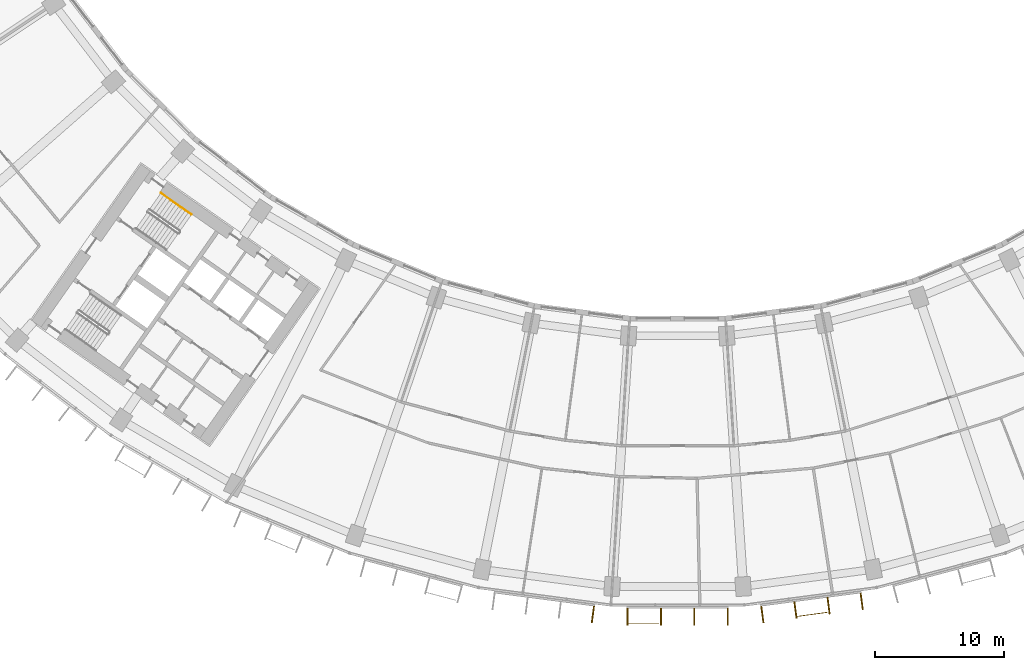
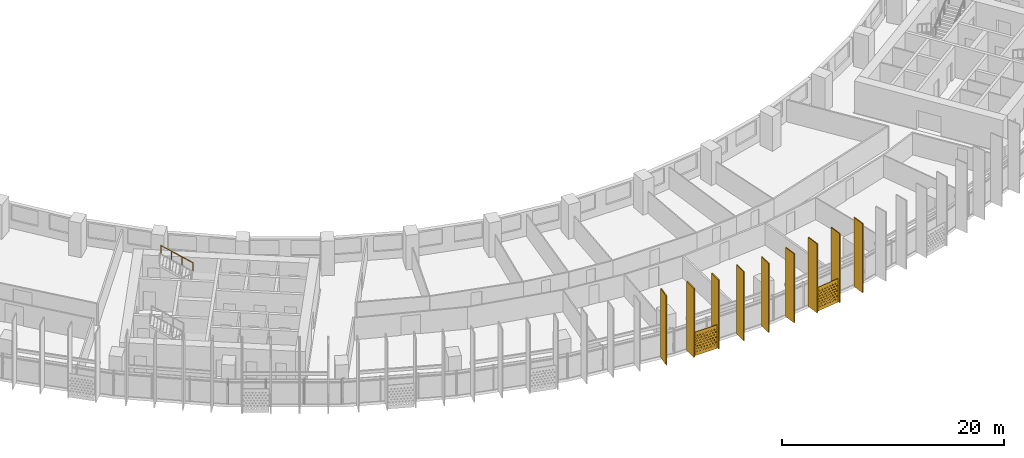
# One storey, part 27 of 30: 11 shading devices, 1 railing.
"""IFC4 building model written with IfcOpenShell, lengths in metres."""

from ifc_helpers import new_model, si_unit, direction, frame, origin, origin_2d, place, context, subcontext, project, spatial, polyline, rectangle, circle, outline, extrude, material, material_profile, profile_set, type_object, element, save


model = new_model("IFC4")

# Units and contexts
model_context = context("Model", 3, precision=1e-05, world=origin(), true_north=direction((0.0, 1.0)))
body_context = subcontext(model_context, "Body", "Model", "MODEL_VIEW")
ifc_project = project(units=[si_unit("LENGTHUNIT", "METRE"), si_unit("AREAUNIT", "SQUARE_METRE"), si_unit("VOLUMEUNIT", "CUBIC_METRE"), si_unit("PLANEANGLEUNIT", "RADIAN"), si_unit("MASSUNIT", "GRAM", prefix="KILO")], contexts=[model_context])

# Site, building, storey
site_placement = place(None, origin())
site = spatial("IfcSite", under=ifc_project, at=site_placement, CompositionType="ELEMENT")
building_placement = place(site_placement, origin())
building = spatial("IfcBuilding", under=site, at=building_placement, Name="Qamariyya Broadcast Tower", CompositionType="ELEMENT")
storey_placement = place(building_placement, frame((0.0, 0.0, 110.10009765625)))
storey = spatial("IfcBuildingStorey", under=building, at=storey_placement, Name="L24", CompositionType="ELEMENT", Elevation=110.10009765625)

# Shading devices
ifc_material_1 = material(Name="Perforated glazed terracotta", Category="masonry")
ifc_material_profile_1 = material_profile(ifc_material_1, outline(polyline([(-1.199951171875, -1.300048828125), (1.199951171875, -1.300048828125), (1.199951171875, 1.300048828125), (-1.199951171875, 1.300048828125), (-1.199951171875, -1.300048828125)]), holes=[polyline([(-0.81494140625, -0.86669921875), (-0.89990234375, -0.78173828125), (-0.985107421875, -0.86669921875), (-0.89990234375, -0.95166015625), (-0.81494140625, -0.86669921875)]), polyline([(-0.514892578125, -0.86669921875), (-0.60009765625, -0.78173828125), (-0.68505859375, -0.86669921875), (-0.60009765625, -0.95166015625), (-0.514892578125, -0.86669921875)]), polyline([(-0.215087890625, -0.86669921875), (-0.300048828125, -0.78173828125), (-0.385009765625, -0.86669921875), (-0.300048828125, -0.95166015625), (-0.215087890625, -0.86669921875)]), polyline([(0.0849609375, -0.86669921875), (0.0, -0.78173828125), (-0.0849609375, -0.86669921875), (0.0, -0.95166015625), (0.0849609375, -0.86669921875)]), polyline([(0.385009765625, -0.86669921875), (0.300048828125, -0.78173828125), (0.215087890625, -0.86669921875), (0.300048828125, -0.95166015625), (0.385009765625, -0.86669921875)]), polyline([(0.68505859375, -0.86669921875), (0.60009765625, -0.78173828125), (0.514892578125, -0.86669921875), (0.60009765625, -0.95166015625), (0.68505859375, -0.86669921875)]), polyline([(0.985107421875, -0.86669921875), (0.89990234375, -0.78173828125), (0.81494140625, -0.86669921875), (0.89990234375, -0.95166015625), (0.985107421875, -0.86669921875)]), polyline([(-0.965087890625, -0.577880859375), (-1.050048828125, -0.49267578125), (-1.135009765625, -0.577880859375), (-1.050048828125, -0.662841796875), (-0.965087890625, -0.577880859375)]), polyline([(-0.6650390625, -0.577880859375), (-0.75, -0.49267578125), (-0.8349609375, -0.577880859375), (-0.75, -0.662841796875), (-0.6650390625, -0.577880859375)]), polyline([(-0.364990234375, -0.577880859375), (-0.449951171875, -0.49267578125), (-0.534912109375, -0.577880859375), (-0.449951171875, -0.662841796875), (-0.364990234375, -0.577880859375)]), polyline([(-0.06494140625, -0.577880859375), (-0.14990234375, -0.49267578125), (-0.235107421875, -0.577880859375), (-0.14990234375, -0.662841796875), (-0.06494140625, -0.577880859375)]), polyline([(0.235107421875, -0.577880859375), (0.14990234375, -0.49267578125), (0.06494140625, -0.577880859375), (0.14990234375, -0.662841796875), (0.235107421875, -0.577880859375)]), polyline([(0.534912109375, -0.577880859375), (0.449951171875, -0.49267578125), (0.364990234375, -0.577880859375), (0.449951171875, -0.662841796875), (0.534912109375, -0.577880859375)]), polyline([(0.8349609375, -0.577880859375), (0.75, -0.49267578125), (0.6650390625, -0.577880859375), (0.75, -0.662841796875), (0.8349609375, -0.577880859375)]), polyline([(1.135009765625, -0.577880859375), (1.050048828125, -0.49267578125), (0.965087890625, -0.577880859375), (1.050048828125, -0.662841796875), (1.135009765625, -0.577880859375)]), polyline([(-0.81494140625, -0.288818359375), (-0.89990234375, -0.203857421875), (-0.985107421875, -0.288818359375), (-0.89990234375, -0.373779296875), (-0.81494140625, -0.288818359375)]), polyline([(-0.514892578125, -0.288818359375), (-0.60009765625, -0.203857421875), (-0.68505859375, -0.288818359375), (-0.60009765625, -0.373779296875), (-0.514892578125, -0.288818359375)]), polyline([(-0.215087890625, -0.288818359375), (-0.300048828125, -0.203857421875), (-0.385009765625, -0.288818359375), (-0.300048828125, -0.373779296875), (-0.215087890625, -0.288818359375)]), polyline([(0.0849609375, -0.288818359375), (0.0, -0.203857421875), (-0.0849609375, -0.288818359375), (0.0, -0.373779296875), (0.0849609375, -0.288818359375)]), polyline([(0.385009765625, -0.288818359375), (0.300048828125, -0.203857421875), (0.215087890625, -0.288818359375), (0.300048828125, -0.373779296875), (0.385009765625, -0.288818359375)]), polyline([(0.68505859375, -0.288818359375), (0.60009765625, -0.203857421875), (0.514892578125, -0.288818359375), (0.60009765625, -0.373779296875), (0.68505859375, -0.288818359375)]), polyline([(0.985107421875, -0.288818359375), (0.89990234375, -0.203857421875), (0.81494140625, -0.288818359375), (0.89990234375, -0.373779296875), (0.985107421875, -0.288818359375)]), polyline([(-0.965087890625, 0.0), (-1.050048828125, 0.0849609375), (-1.135009765625, 0.0), (-1.050048828125, -0.0849609375), (-0.965087890625, 0.0)]), polyline([(-0.6650390625, 0.0), (-0.75, 0.0849609375), (-0.8349609375, 0.0), (-0.75, -0.0849609375), (-0.6650390625, 0.0)]), polyline([(-0.364990234375, 0.0), (-0.449951171875, 0.0849609375), (-0.534912109375, 0.0), (-0.449951171875, -0.0849609375), (-0.364990234375, 0.0)]), polyline([(-0.06494140625, 0.0), (-0.14990234375, 0.0849609375), (-0.235107421875, 0.0), (-0.14990234375, -0.0849609375), (-0.06494140625, 0.0)]), polyline([(0.235107421875, 0.0), (0.14990234375, 0.0849609375), (0.06494140625, 0.0), (0.14990234375, -0.0849609375), (0.235107421875, 0.0)]), polyline([(0.534912109375, 0.0), (0.449951171875, 0.0849609375), (0.364990234375, 0.0), (0.449951171875, -0.0849609375), (0.534912109375, 0.0)]), polyline([(0.8349609375, 0.0), (0.75, 0.0849609375), (0.6650390625, 0.0), (0.75, -0.0849609375), (0.8349609375, 0.0)]), polyline([(1.135009765625, 0.0), (1.050048828125, 0.0849609375), (0.965087890625, 0.0), (1.050048828125, -0.0849609375), (1.135009765625, 0.0)]), polyline([(-0.81494140625, 0.288818359375), (-0.89990234375, 0.373779296875), (-0.985107421875, 0.288818359375), (-0.89990234375, 0.203857421875), (-0.81494140625, 0.288818359375)]), polyline([(-0.514892578125, 0.288818359375), (-0.60009765625, 0.373779296875), (-0.68505859375, 0.288818359375), (-0.60009765625, 0.203857421875), (-0.514892578125, 0.288818359375)]), polyline([(-0.215087890625, 0.288818359375), (-0.300048828125, 0.373779296875), (-0.385009765625, 0.288818359375), (-0.300048828125, 0.203857421875), (-0.215087890625, 0.288818359375)]), polyline([(0.0849609375, 0.288818359375), (0.0, 0.373779296875), (-0.0849609375, 0.288818359375), (0.0, 0.203857421875), (0.0849609375, 0.288818359375)]), polyline([(0.385009765625, 0.288818359375), (0.300048828125, 0.373779296875), (0.215087890625, 0.288818359375), (0.300048828125, 0.203857421875), (0.385009765625, 0.288818359375)]), polyline([(0.68505859375, 0.288818359375), (0.60009765625, 0.373779296875), (0.514892578125, 0.288818359375), (0.60009765625, 0.203857421875), (0.68505859375, 0.288818359375)]), polyline([(0.985107421875, 0.288818359375), (0.89990234375, 0.373779296875), (0.81494140625, 0.288818359375), (0.89990234375, 0.203857421875), (0.985107421875, 0.288818359375)]), polyline([(-0.965087890625, 0.577880859375), (-1.050048828125, 0.662841796875), (-1.135009765625, 0.577880859375), (-1.050048828125, 0.49267578125), (-0.965087890625, 0.577880859375)]), polyline([(-0.6650390625, 0.577880859375), (-0.75, 0.662841796875), (-0.8349609375, 0.577880859375), (-0.75, 0.49267578125), (-0.6650390625, 0.577880859375)]), polyline([(-0.364990234375, 0.577880859375), (-0.449951171875, 0.662841796875), (-0.534912109375, 0.577880859375), (-0.449951171875, 0.49267578125), (-0.364990234375, 0.577880859375)]), polyline([(-0.06494140625, 0.577880859375), (-0.14990234375, 0.662841796875), (-0.235107421875, 0.577880859375), (-0.14990234375, 0.49267578125), (-0.06494140625, 0.577880859375)]), polyline([(0.235107421875, 0.577880859375), (0.14990234375, 0.662841796875), (0.06494140625, 0.577880859375), (0.14990234375, 0.49267578125), (0.235107421875, 0.577880859375)]), polyline([(0.534912109375, 0.577880859375), (0.449951171875, 0.662841796875), (0.364990234375, 0.577880859375), (0.449951171875, 0.49267578125), (0.534912109375, 0.577880859375)]), polyline([(0.8349609375, 0.577880859375), (0.75, 0.662841796875), (0.6650390625, 0.577880859375), (0.75, 0.49267578125), (0.8349609375, 0.577880859375)]), polyline([(1.135009765625, 0.577880859375), (1.050048828125, 0.662841796875), (0.965087890625, 0.577880859375), (1.050048828125, 0.49267578125), (1.135009765625, 0.577880859375)]), polyline([(-0.81494140625, 0.86669921875), (-0.89990234375, 0.95166015625), (-0.985107421875, 0.86669921875), (-0.89990234375, 0.78173828125), (-0.81494140625, 0.86669921875)]), polyline([(-0.514892578125, 0.86669921875), (-0.60009765625, 0.95166015625), (-0.68505859375, 0.86669921875), (-0.60009765625, 0.78173828125), (-0.514892578125, 0.86669921875)]), polyline([(-0.215087890625, 0.86669921875), (-0.300048828125, 0.95166015625), (-0.385009765625, 0.86669921875), (-0.300048828125, 0.78173828125), (-0.215087890625, 0.86669921875)]), polyline([(0.0849609375, 0.86669921875), (0.0, 0.95166015625), (-0.0849609375, 0.86669921875), (0.0, 0.78173828125), (0.0849609375, 0.86669921875)]), polyline([(0.385009765625, 0.86669921875), (0.300048828125, 0.95166015625), (0.215087890625, 0.86669921875), (0.300048828125, 0.78173828125), (0.385009765625, 0.86669921875)]), polyline([(0.68505859375, 0.86669921875), (0.60009765625, 0.95166015625), (0.514892578125, 0.86669921875), (0.60009765625, 0.78173828125), (0.68505859375, 0.86669921875)]), polyline([(0.985107421875, 0.86669921875), (0.89990234375, 0.95166015625), (0.81494140625, 0.86669921875), (0.89990234375, 0.78173828125), (0.985107421875, 0.86669921875)])]))
ifc_profile_set_1 = profile_set([ifc_material_profile_1], Name="Perforated glazed terracotta")
shading_device_type_1 = type_object("IfcShadingDeviceType", Name="Perforated terracotta screen 2400 x 2600", PredefinedType="USERDEFINED", material=ifc_profile_set_1)
shading_device_1_placement = place(storey_placement, frame((-2.639892578125, -80.400146484375, 1.349853515625), z_axis=(0.0, -1.0, 0.0), x_axis=(1.0, 0.0, 0.0)))
element("IfcShadingDevice", 1, at=shading_device_1_placement, inside=storey, type_object=shading_device_type_1, Name="e-scr-L24-09-0", ObjectType="SCREEN", PredefinedType="USERDEFINED", context=body_context, shape_type="SweptSolid", body=[
    extrude(outline(polyline([(-1.199951171875, -1.300048828125), (1.199951171875, -1.300048828125), (1.199951171875, 1.300048828125), (-1.199951171875, 1.300048828125), (-1.199951171875, -1.300048828125)]), holes=[polyline([(-0.81494140625, -0.86669921875), (-0.89990234375, -0.78173828125), (-0.985107421875, -0.86669921875), (-0.89990234375, -0.95166015625), (-0.81494140625, -0.86669921875)]), polyline([(-0.514892578125, -0.86669921875), (-0.60009765625, -0.78173828125), (-0.68505859375, -0.86669921875), (-0.60009765625, -0.95166015625), (-0.514892578125, -0.86669921875)]), polyline([(-0.215087890625, -0.86669921875), (-0.300048828125, -0.78173828125), (-0.385009765625, -0.86669921875), (-0.300048828125, -0.95166015625), (-0.215087890625, -0.86669921875)]), polyline([(0.0849609375, -0.86669921875), (0.0, -0.78173828125), (-0.0849609375, -0.86669921875), (0.0, -0.95166015625), (0.0849609375, -0.86669921875)]), polyline([(0.385009765625, -0.86669921875), (0.300048828125, -0.78173828125), (0.215087890625, -0.86669921875), (0.300048828125, -0.95166015625), (0.385009765625, -0.86669921875)]), polyline([(0.68505859375, -0.86669921875), (0.60009765625, -0.78173828125), (0.514892578125, -0.86669921875), (0.60009765625, -0.95166015625), (0.68505859375, -0.86669921875)]), polyline([(0.985107421875, -0.86669921875), (0.89990234375, -0.78173828125), (0.81494140625, -0.86669921875), (0.89990234375, -0.95166015625), (0.985107421875, -0.86669921875)]), polyline([(-0.965087890625, -0.577880859375), (-1.050048828125, -0.49267578125), (-1.135009765625, -0.577880859375), (-1.050048828125, -0.662841796875), (-0.965087890625, -0.577880859375)]), polyline([(-0.6650390625, -0.577880859375), (-0.75, -0.49267578125), (-0.8349609375, -0.577880859375), (-0.75, -0.662841796875), (-0.6650390625, -0.577880859375)]), polyline([(-0.364990234375, -0.577880859375), (-0.449951171875, -0.49267578125), (-0.534912109375, -0.577880859375), (-0.449951171875, -0.662841796875), (-0.364990234375, -0.577880859375)]), polyline([(-0.06494140625, -0.577880859375), (-0.14990234375, -0.49267578125), (-0.235107421875, -0.577880859375), (-0.14990234375, -0.662841796875), (-0.06494140625, -0.577880859375)]), polyline([(0.235107421875, -0.577880859375), (0.14990234375, -0.49267578125), (0.06494140625, -0.577880859375), (0.14990234375, -0.662841796875), (0.235107421875, -0.577880859375)]), polyline([(0.534912109375, -0.577880859375), (0.449951171875, -0.49267578125), (0.364990234375, -0.577880859375), (0.449951171875, -0.662841796875), (0.534912109375, -0.577880859375)]), polyline([(0.8349609375, -0.577880859375), (0.75, -0.49267578125), (0.6650390625, -0.577880859375), (0.75, -0.662841796875), (0.8349609375, -0.577880859375)]), polyline([(1.135009765625, -0.577880859375), (1.050048828125, -0.49267578125), (0.965087890625, -0.577880859375), (1.050048828125, -0.662841796875), (1.135009765625, -0.577880859375)]), polyline([(-0.81494140625, -0.288818359375), (-0.89990234375, -0.203857421875), (-0.985107421875, -0.288818359375), (-0.89990234375, -0.373779296875), (-0.81494140625, -0.288818359375)]), polyline([(-0.514892578125, -0.288818359375), (-0.60009765625, -0.203857421875), (-0.68505859375, -0.288818359375), (-0.60009765625, -0.373779296875), (-0.514892578125, -0.288818359375)]), polyline([(-0.215087890625, -0.288818359375), (-0.300048828125, -0.203857421875), (-0.385009765625, -0.288818359375), (-0.300048828125, -0.373779296875), (-0.215087890625, -0.288818359375)]), polyline([(0.0849609375, -0.288818359375), (0.0, -0.203857421875), (-0.0849609375, -0.288818359375), (0.0, -0.373779296875), (0.0849609375, -0.288818359375)]), polyline([(0.385009765625, -0.288818359375), (0.300048828125, -0.203857421875), (0.215087890625, -0.288818359375), (0.300048828125, -0.373779296875), (0.385009765625, -0.288818359375)]), polyline([(0.68505859375, -0.288818359375), (0.60009765625, -0.203857421875), (0.514892578125, -0.288818359375), (0.60009765625, -0.373779296875), (0.68505859375, -0.288818359375)]), polyline([(0.985107421875, -0.288818359375), (0.89990234375, -0.203857421875), (0.81494140625, -0.288818359375), (0.89990234375, -0.373779296875), (0.985107421875, -0.288818359375)]), polyline([(-0.965087890625, 0.0), (-1.050048828125, 0.0849609375), (-1.135009765625, 0.0), (-1.050048828125, -0.0849609375), (-0.965087890625, 0.0)]), polyline([(-0.6650390625, 0.0), (-0.75, 0.0849609375), (-0.8349609375, 0.0), (-0.75, -0.0849609375), (-0.6650390625, 0.0)]), polyline([(-0.364990234375, 0.0), (-0.449951171875, 0.0849609375), (-0.534912109375, 0.0), (-0.449951171875, -0.0849609375), (-0.364990234375, 0.0)]), polyline([(-0.06494140625, 0.0), (-0.14990234375, 0.0849609375), (-0.235107421875, 0.0), (-0.14990234375, -0.0849609375), (-0.06494140625, 0.0)]), polyline([(0.235107421875, 0.0), (0.14990234375, 0.0849609375), (0.06494140625, 0.0), (0.14990234375, -0.0849609375), (0.235107421875, 0.0)]), polyline([(0.534912109375, 0.0), (0.449951171875, 0.0849609375), (0.364990234375, 0.0), (0.449951171875, -0.0849609375), (0.534912109375, 0.0)]), polyline([(0.8349609375, 0.0), (0.75, 0.0849609375), (0.6650390625, 0.0), (0.75, -0.0849609375), (0.8349609375, 0.0)]), polyline([(1.135009765625, 0.0), (1.050048828125, 0.0849609375), (0.965087890625, 0.0), (1.050048828125, -0.0849609375), (1.135009765625, 0.0)]), polyline([(-0.81494140625, 0.288818359375), (-0.89990234375, 0.373779296875), (-0.985107421875, 0.288818359375), (-0.89990234375, 0.203857421875), (-0.81494140625, 0.288818359375)]), polyline([(-0.514892578125, 0.288818359375), (-0.60009765625, 0.373779296875), (-0.68505859375, 0.288818359375), (-0.60009765625, 0.203857421875), (-0.514892578125, 0.288818359375)]), polyline([(-0.215087890625, 0.288818359375), (-0.300048828125, 0.373779296875), (-0.385009765625, 0.288818359375), (-0.300048828125, 0.203857421875), (-0.215087890625, 0.288818359375)]), polyline([(0.0849609375, 0.288818359375), (0.0, 0.373779296875), (-0.0849609375, 0.288818359375), (0.0, 0.203857421875), (0.0849609375, 0.288818359375)]), polyline([(0.385009765625, 0.288818359375), (0.300048828125, 0.373779296875), (0.215087890625, 0.288818359375), (0.300048828125, 0.203857421875), (0.385009765625, 0.288818359375)]), polyline([(0.68505859375, 0.288818359375), (0.60009765625, 0.373779296875), (0.514892578125, 0.288818359375), (0.60009765625, 0.203857421875), (0.68505859375, 0.288818359375)]), polyline([(0.985107421875, 0.288818359375), (0.89990234375, 0.373779296875), (0.81494140625, 0.288818359375), (0.89990234375, 0.203857421875), (0.985107421875, 0.288818359375)]), polyline([(-0.965087890625, 0.577880859375), (-1.050048828125, 0.662841796875), (-1.135009765625, 0.577880859375), (-1.050048828125, 0.49267578125), (-0.965087890625, 0.577880859375)]), polyline([(-0.6650390625, 0.577880859375), (-0.75, 0.662841796875), (-0.8349609375, 0.577880859375), (-0.75, 0.49267578125), (-0.6650390625, 0.577880859375)]), polyline([(-0.364990234375, 0.577880859375), (-0.449951171875, 0.662841796875), (-0.534912109375, 0.577880859375), (-0.449951171875, 0.49267578125), (-0.364990234375, 0.577880859375)]), polyline([(-0.06494140625, 0.577880859375), (-0.14990234375, 0.662841796875), (-0.235107421875, 0.577880859375), (-0.14990234375, 0.49267578125), (-0.06494140625, 0.577880859375)]), polyline([(0.235107421875, 0.577880859375), (0.14990234375, 0.662841796875), (0.06494140625, 0.577880859375), (0.14990234375, 0.49267578125), (0.235107421875, 0.577880859375)]), polyline([(0.534912109375, 0.577880859375), (0.449951171875, 0.662841796875), (0.364990234375, 0.577880859375), (0.449951171875, 0.49267578125), (0.534912109375, 0.577880859375)]), polyline([(0.8349609375, 0.577880859375), (0.75, 0.662841796875), (0.6650390625, 0.577880859375), (0.75, 0.49267578125), (0.8349609375, 0.577880859375)]), polyline([(1.135009765625, 0.577880859375), (1.050048828125, 0.662841796875), (0.965087890625, 0.577880859375), (1.050048828125, 0.49267578125), (1.135009765625, 0.577880859375)]), polyline([(-0.81494140625, 0.86669921875), (-0.89990234375, 0.95166015625), (-0.985107421875, 0.86669921875), (-0.89990234375, 0.78173828125), (-0.81494140625, 0.86669921875)]), polyline([(-0.514892578125, 0.86669921875), (-0.60009765625, 0.95166015625), (-0.68505859375, 0.86669921875), (-0.60009765625, 0.78173828125), (-0.514892578125, 0.86669921875)]), polyline([(-0.215087890625, 0.86669921875), (-0.300048828125, 0.95166015625), (-0.385009765625, 0.86669921875), (-0.300048828125, 0.78173828125), (-0.215087890625, 0.86669921875)]), polyline([(0.0849609375, 0.86669921875), (0.0, 0.95166015625), (-0.0849609375, 0.86669921875), (0.0, 0.78173828125), (0.0849609375, 0.86669921875)]), polyline([(0.385009765625, 0.86669921875), (0.300048828125, 0.95166015625), (0.215087890625, 0.86669921875), (0.300048828125, 0.78173828125), (0.385009765625, 0.86669921875)]), polyline([(0.68505859375, 0.86669921875), (0.60009765625, 0.95166015625), (0.514892578125, 0.86669921875), (0.60009765625, 0.78173828125), (0.68505859375, 0.86669921875)]), polyline([(0.985107421875, 0.86669921875), (0.89990234375, 0.95166015625), (0.81494140625, 0.86669921875), (0.89990234375, 0.78173828125), (0.985107421875, 0.86669921875)])]), origin(), (0.0, 0.0, 1.0), 0.06005859375),
])
shading_device_2_placement = place(storey_placement, frame((10.447998046875, -79.718505859375, 1.349853515625), z_axis=(0.13456727237, -0.990904460181, 0.0), x_axis=(0.990904460181, 0.13456727237, 0.0)))
element("IfcShadingDevice", 2, at=shading_device_2_placement, inside=storey, type_object=shading_device_type_1, Name="e-scr-L24-10-1", ObjectType="SCREEN", PredefinedType="USERDEFINED", context=body_context, shape_type="SweptSolid", body=[
    extrude(outline(polyline([(-1.199951171875, -1.300048828125), (1.199951171875, -1.300048828125), (1.199951171875, 1.300048828125), (-1.199951171875, 1.300048828125), (-1.199951171875, -1.300048828125)]), holes=[polyline([(-0.81494140625, -0.86669921875), (-0.89990234375, -0.78173828125), (-0.985107421875, -0.86669921875), (-0.89990234375, -0.95166015625), (-0.81494140625, -0.86669921875)]), polyline([(-0.514892578125, -0.86669921875), (-0.60009765625, -0.78173828125), (-0.68505859375, -0.86669921875), (-0.60009765625, -0.95166015625), (-0.514892578125, -0.86669921875)]), polyline([(-0.215087890625, -0.86669921875), (-0.300048828125, -0.78173828125), (-0.385009765625, -0.86669921875), (-0.300048828125, -0.95166015625), (-0.215087890625, -0.86669921875)]), polyline([(0.0849609375, -0.86669921875), (0.0, -0.78173828125), (-0.0849609375, -0.86669921875), (0.0, -0.95166015625), (0.0849609375, -0.86669921875)]), polyline([(0.385009765625, -0.86669921875), (0.300048828125, -0.78173828125), (0.215087890625, -0.86669921875), (0.300048828125, -0.95166015625), (0.385009765625, -0.86669921875)]), polyline([(0.68505859375, -0.86669921875), (0.60009765625, -0.78173828125), (0.514892578125, -0.86669921875), (0.60009765625, -0.95166015625), (0.68505859375, -0.86669921875)]), polyline([(0.985107421875, -0.86669921875), (0.89990234375, -0.78173828125), (0.81494140625, -0.86669921875), (0.89990234375, -0.95166015625), (0.985107421875, -0.86669921875)]), polyline([(-0.965087890625, -0.577880859375), (-1.050048828125, -0.49267578125), (-1.135009765625, -0.577880859375), (-1.050048828125, -0.662841796875), (-0.965087890625, -0.577880859375)]), polyline([(-0.6650390625, -0.577880859375), (-0.75, -0.49267578125), (-0.8349609375, -0.577880859375), (-0.75, -0.662841796875), (-0.6650390625, -0.577880859375)]), polyline([(-0.364990234375, -0.577880859375), (-0.449951171875, -0.49267578125), (-0.534912109375, -0.577880859375), (-0.449951171875, -0.662841796875), (-0.364990234375, -0.577880859375)]), polyline([(-0.06494140625, -0.577880859375), (-0.14990234375, -0.49267578125), (-0.235107421875, -0.577880859375), (-0.14990234375, -0.662841796875), (-0.06494140625, -0.577880859375)]), polyline([(0.235107421875, -0.577880859375), (0.14990234375, -0.49267578125), (0.06494140625, -0.577880859375), (0.14990234375, -0.662841796875), (0.235107421875, -0.577880859375)]), polyline([(0.534912109375, -0.577880859375), (0.449951171875, -0.49267578125), (0.364990234375, -0.577880859375), (0.449951171875, -0.662841796875), (0.534912109375, -0.577880859375)]), polyline([(0.8349609375, -0.577880859375), (0.75, -0.49267578125), (0.6650390625, -0.577880859375), (0.75, -0.662841796875), (0.8349609375, -0.577880859375)]), polyline([(1.135009765625, -0.577880859375), (1.050048828125, -0.49267578125), (0.965087890625, -0.577880859375), (1.050048828125, -0.662841796875), (1.135009765625, -0.577880859375)]), polyline([(-0.81494140625, -0.288818359375), (-0.89990234375, -0.203857421875), (-0.985107421875, -0.288818359375), (-0.89990234375, -0.373779296875), (-0.81494140625, -0.288818359375)]), polyline([(-0.514892578125, -0.288818359375), (-0.60009765625, -0.203857421875), (-0.68505859375, -0.288818359375), (-0.60009765625, -0.373779296875), (-0.514892578125, -0.288818359375)]), polyline([(-0.215087890625, -0.288818359375), (-0.300048828125, -0.203857421875), (-0.385009765625, -0.288818359375), (-0.300048828125, -0.373779296875), (-0.215087890625, -0.288818359375)]), polyline([(0.0849609375, -0.288818359375), (0.0, -0.203857421875), (-0.0849609375, -0.288818359375), (0.0, -0.373779296875), (0.0849609375, -0.288818359375)]), polyline([(0.385009765625, -0.288818359375), (0.300048828125, -0.203857421875), (0.215087890625, -0.288818359375), (0.300048828125, -0.373779296875), (0.385009765625, -0.288818359375)]), polyline([(0.68505859375, -0.288818359375), (0.60009765625, -0.203857421875), (0.514892578125, -0.288818359375), (0.60009765625, -0.373779296875), (0.68505859375, -0.288818359375)]), polyline([(0.985107421875, -0.288818359375), (0.89990234375, -0.203857421875), (0.81494140625, -0.288818359375), (0.89990234375, -0.373779296875), (0.985107421875, -0.288818359375)]), polyline([(-0.965087890625, 0.0), (-1.050048828125, 0.0849609375), (-1.135009765625, 0.0), (-1.050048828125, -0.0849609375), (-0.965087890625, 0.0)]), polyline([(-0.6650390625, 0.0), (-0.75, 0.0849609375), (-0.8349609375, 0.0), (-0.75, -0.0849609375), (-0.6650390625, 0.0)]), polyline([(-0.364990234375, 0.0), (-0.449951171875, 0.0849609375), (-0.534912109375, 0.0), (-0.449951171875, -0.0849609375), (-0.364990234375, 0.0)]), polyline([(-0.06494140625, 0.0), (-0.14990234375, 0.0849609375), (-0.235107421875, 0.0), (-0.14990234375, -0.0849609375), (-0.06494140625, 0.0)]), polyline([(0.235107421875, 0.0), (0.14990234375, 0.0849609375), (0.06494140625, 0.0), (0.14990234375, -0.0849609375), (0.235107421875, 0.0)]), polyline([(0.534912109375, 0.0), (0.449951171875, 0.0849609375), (0.364990234375, 0.0), (0.449951171875, -0.0849609375), (0.534912109375, 0.0)]), polyline([(0.8349609375, 0.0), (0.75, 0.0849609375), (0.6650390625, 0.0), (0.75, -0.0849609375), (0.8349609375, 0.0)]), polyline([(1.135009765625, 0.0), (1.050048828125, 0.0849609375), (0.965087890625, 0.0), (1.050048828125, -0.0849609375), (1.135009765625, 0.0)]), polyline([(-0.81494140625, 0.288818359375), (-0.89990234375, 0.373779296875), (-0.985107421875, 0.288818359375), (-0.89990234375, 0.203857421875), (-0.81494140625, 0.288818359375)]), polyline([(-0.514892578125, 0.288818359375), (-0.60009765625, 0.373779296875), (-0.68505859375, 0.288818359375), (-0.60009765625, 0.203857421875), (-0.514892578125, 0.288818359375)]), polyline([(-0.215087890625, 0.288818359375), (-0.300048828125, 0.373779296875), (-0.385009765625, 0.288818359375), (-0.300048828125, 0.203857421875), (-0.215087890625, 0.288818359375)]), polyline([(0.0849609375, 0.288818359375), (0.0, 0.373779296875), (-0.0849609375, 0.288818359375), (0.0, 0.203857421875), (0.0849609375, 0.288818359375)]), polyline([(0.385009765625, 0.288818359375), (0.300048828125, 0.373779296875), (0.215087890625, 0.288818359375), (0.300048828125, 0.203857421875), (0.385009765625, 0.288818359375)]), polyline([(0.68505859375, 0.288818359375), (0.60009765625, 0.373779296875), (0.514892578125, 0.288818359375), (0.60009765625, 0.203857421875), (0.68505859375, 0.288818359375)]), polyline([(0.985107421875, 0.288818359375), (0.89990234375, 0.373779296875), (0.81494140625, 0.288818359375), (0.89990234375, 0.203857421875), (0.985107421875, 0.288818359375)]), polyline([(-0.965087890625, 0.577880859375), (-1.050048828125, 0.662841796875), (-1.135009765625, 0.577880859375), (-1.050048828125, 0.49267578125), (-0.965087890625, 0.577880859375)]), polyline([(-0.6650390625, 0.577880859375), (-0.75, 0.662841796875), (-0.8349609375, 0.577880859375), (-0.75, 0.49267578125), (-0.6650390625, 0.577880859375)]), polyline([(-0.364990234375, 0.577880859375), (-0.449951171875, 0.662841796875), (-0.534912109375, 0.577880859375), (-0.449951171875, 0.49267578125), (-0.364990234375, 0.577880859375)]), polyline([(-0.06494140625, 0.577880859375), (-0.14990234375, 0.662841796875), (-0.235107421875, 0.577880859375), (-0.14990234375, 0.49267578125), (-0.06494140625, 0.577880859375)]), polyline([(0.235107421875, 0.577880859375), (0.14990234375, 0.662841796875), (0.06494140625, 0.577880859375), (0.14990234375, 0.49267578125), (0.235107421875, 0.577880859375)]), polyline([(0.534912109375, 0.577880859375), (0.449951171875, 0.662841796875), (0.364990234375, 0.577880859375), (0.449951171875, 0.49267578125), (0.534912109375, 0.577880859375)]), polyline([(0.8349609375, 0.577880859375), (0.75, 0.662841796875), (0.6650390625, 0.577880859375), (0.75, 0.49267578125), (0.8349609375, 0.577880859375)]), polyline([(1.135009765625, 0.577880859375), (1.050048828125, 0.662841796875), (0.965087890625, 0.577880859375), (1.050048828125, 0.49267578125), (1.135009765625, 0.577880859375)]), polyline([(-0.81494140625, 0.86669921875), (-0.89990234375, 0.95166015625), (-0.985107421875, 0.86669921875), (-0.89990234375, 0.78173828125), (-0.81494140625, 0.86669921875)]), polyline([(-0.514892578125, 0.86669921875), (-0.60009765625, 0.95166015625), (-0.68505859375, 0.86669921875), (-0.60009765625, 0.78173828125), (-0.514892578125, 0.86669921875)]), polyline([(-0.215087890625, 0.86669921875), (-0.300048828125, 0.95166015625), (-0.385009765625, 0.86669921875), (-0.300048828125, 0.78173828125), (-0.215087890625, 0.86669921875)]), polyline([(0.0849609375, 0.86669921875), (0.0, 0.95166015625), (-0.0849609375, 0.86669921875), (0.0, 0.78173828125), (0.0849609375, 0.86669921875)]), polyline([(0.385009765625, 0.86669921875), (0.300048828125, 0.95166015625), (0.215087890625, 0.86669921875), (0.300048828125, 0.78173828125), (0.385009765625, 0.86669921875)]), polyline([(0.68505859375, 0.86669921875), (0.60009765625, 0.95166015625), (0.514892578125, 0.86669921875), (0.60009765625, 0.78173828125), (0.68505859375, 0.86669921875)]), polyline([(0.985107421875, 0.86669921875), (0.89990234375, 0.95166015625), (0.81494140625, 0.86669921875), (0.89990234375, 0.78173828125), (0.985107421875, 0.86669921875)])]), origin(), (0.0, 0.0, 1.0), 0.059814453125),
])

# Railing
ifc_material_2 = material(Name="Stainless steel", Category="steel")
railing_type = type_object("IfcRailingType", Name="Stair handrail", PredefinedType="HANDRAIL", material=ifc_material_2)
railing_placement = place(storey_placement, frame((-37.73876953125, -48.7138671875, 2.072509765625)))
element("IfcRailing", 3, at=railing_placement, inside=storey, type_object=railing_type, Name="L24 ST-W2 stair handrail 2", PredefinedType="HANDRAIL", context=body_context, shape_type="SweptSolid", body=[
    extrude(circle(Radius=0.02392578125, at=origin_2d()), frame((0.0, 0.0, 0.8759765625), z_axis=(-0.703745009021, 0.492838488332, 0.511715923826), x_axis=(-0.573631830683, -0.819113253969, 0.0)), (0.0, 0.0, 1.0), 3.37548828125),
    extrude(circle(Radius=0.02099609375, at=origin_2d()), origin(), (0.0, 0.0, 1.0), 0.851806640625),
    extrude(circle(Radius=0.02099609375, at=origin_2d()), frame((-0.791748046875, 0.554443359375, 0.57568359375)), (0.0, 0.0, 1.0), 0.851806640625),
    extrude(circle(Radius=0.02099609375, at=origin_2d()), frame((-1.583740234375, 1.109130859375, 1.151611328125)), (0.0, 0.0, 1.0), 0.851806640625),
    extrude(circle(Radius=0.02099609375, at=origin_2d()), frame((-2.37548828125, 1.66357421875, 1.727294921875)), (0.0, 0.0, 1.0), 0.851806640625),
])

# Shading devices
ifc_material_3 = material(Name="Glazed terracotta", Category="masonry")
ifc_material_profile_2 = material_profile(ifc_material_3, rectangle(XDim=1.300048828125, YDim=0.10009765625, at=origin_2d()))
ifc_profile_set_2 = profile_set([ifc_material_profile_2], Name="Glazed terracotta")
shading_device_type_2 = type_object("IfcShadingDeviceType", Name="Terracotta fin 100 x 1300", PredefinedType="USERDEFINED", material=ifc_profile_set_2)
for number, where, z_axis, x_axis, name in (
    (4, (-6.576416015625, -79.754150390625, 0.0), (0.0, 0.0, 1.0), (-0.13052619222, -0.991444861374, 0.0), "e-fin-L24-08-3"),
    (5, (-3.889892578125, -79.93017578125, 0.0), (0.0, 0.0, 1.0), (0.0, -1.0, 0.0), "e-fin-L24-09-0"),
    (6, (-1.296630859375, -79.93017578125, 0.0), (0.0, 0.0, 1.0), (0.0, -1.0, 0.0), "e-fin-L24-09-1"),
    (7, (1.296630859375, -79.93017578125, 0.0), (0.0, 0.0, 1.0), (0.0, -1.0, 0.0), "e-fin-L24-09-2"),
    (8, (3.889892578125, -79.93017578125, 0.0), (0.0, 0.0, 1.0), (0.0, -1.0, 0.0), "e-fin-L24-09-3"),
    (9, (6.576416015625, -79.754150390625, 0.0), (0.0, 0.0, 1.0), (0.13052619222, -0.991444861374, 0.0), "e-fin-L24-10-0"),
    (10, (9.1474609375, -79.41552734375, 0.0), (0.0, 0.0, 1.0), (0.13052619222, -0.991444861374, 0.0), "e-fin-L24-10-1"),
    (11, (11.718505859375, -79.0771484375, 0.0), (0.0, 0.0, 1.0), (0.13052619222, -0.991444861374, 0.0), "e-fin-L24-10-2"),
    (12, (14.28955078125, -78.73876953125, 0.0), (0.0, 0.0, 1.0), (0.13052619222, -0.991444861374, 0.0), "e-fin-L24-10-3"),
):
    element("IfcShadingDevice", number, at=place(storey_placement, frame(where, z_axis=z_axis, x_axis=x_axis)), inside=storey, type_object=shading_device_type_2, Name=name, ObjectType="FIN", PredefinedType="USERDEFINED", context=body_context, shape_type="SweptSolid", body=[
        extrude(rectangle(XDim=1.300048828125, YDim=0.10009765625, at=origin_2d()), origin(), (0.0, 0.0, 1.0), 7.599853515625),
    ])

save(model, "model.ifc")
